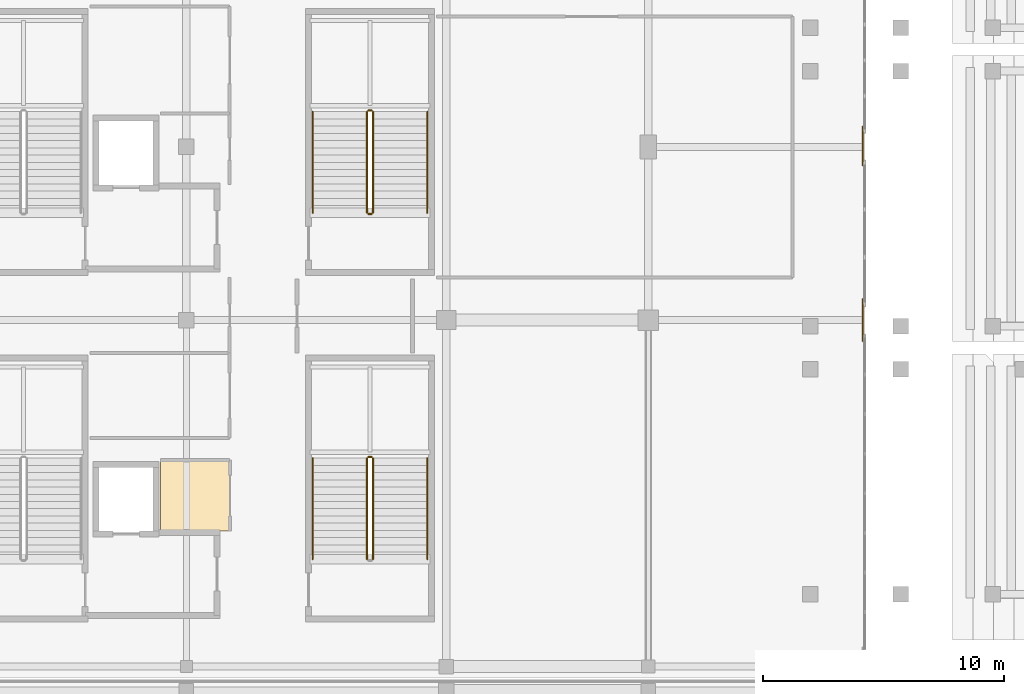
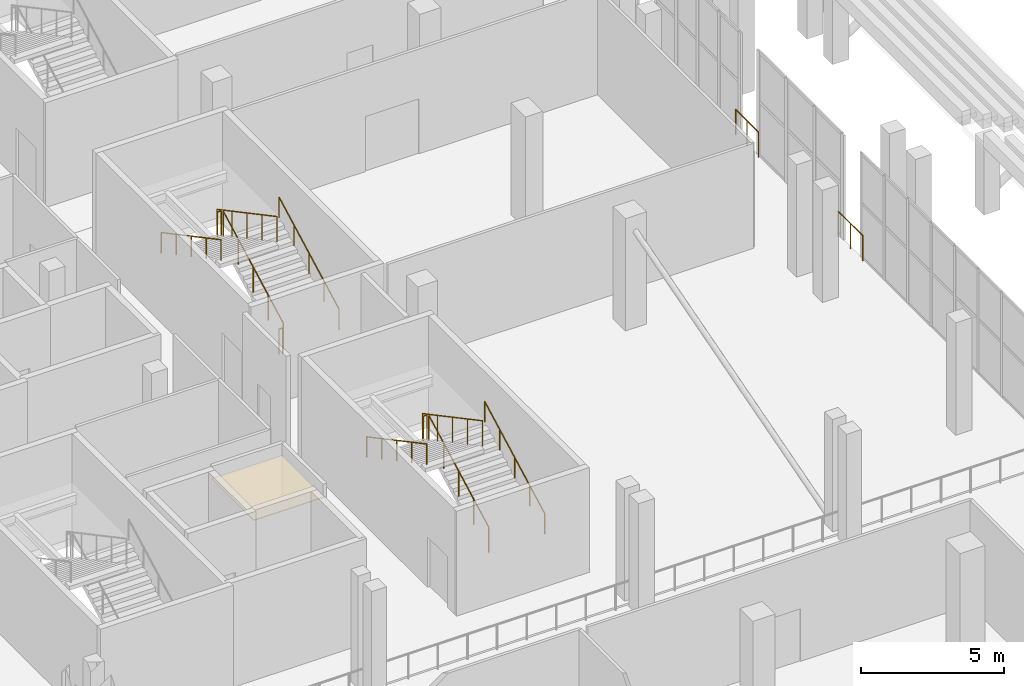
# One storey, part 115 of 142: 13 railings, 1 covering.
"""IFC4 building model written with IfcOpenShell, lengths in metres."""

import ifcopenshell
import ifcopenshell.guid

model = None  # the IFC model being written
_history = None  # IfcOwnerHistory: only IFC2X3 demands one
_inside = {}  # id of a spatial element -> (the spatial element, [elements in it])
_under = {}  # id of a project, library or spatial element -> (it, [spatial elements below it])
_declared = {}  # id of a project -> (the project, [libraries it declares])
_typed = {}  # id of a type object -> (the type object, [elements of that type])
_made_of = {}  # id of a material, layer set ... -> (it, [elements and type objects made of it])


def new_model(schema):
    """Start an empty IFC model of exactly this schema.

    Asked for "IFC4X3", IfcOpenShell would pick the latest addendum, in which some entities
    have other attributes; the version numbers below select the first issue.
    IFC2X3 requires an IfcOwnerHistory on every rooted entity: one is made here for all.
    """
    global model, _history
    if schema == "IFC4X3":
        model = ifcopenshell.file(schema_version=(4, 3, 0, 0))
    else:
        model = ifcopenshell.file(schema=schema)
    _inside.clear()
    _under.clear()
    _declared.clear()
    _typed.clear()
    _made_of.clear()
    _history = None
    if model.schema == "IFC2X3":
        org = make("IfcOrganization", Name="unknown")
        user = make(
            "IfcPersonAndOrganization",
            ThePerson=make("IfcPerson", FamilyName="unknown"),
            TheOrganization=org,
        )
        app = make(
            "IfcApplication",
            ApplicationDeveloper=org,
            Version="unknown",
            ApplicationFullName="unknown",
            ApplicationIdentifier="unknown",
        )
        _history = make(
            "IfcOwnerHistory",
            OwningUser=user,
            OwningApplication=app,
            ChangeAction="ADDED",
            CreationDate=0,
        )
    return model


def make(cls, **values):
    """One entity of the class cls with the attributes given. An attribute that is None is left unset."""
    return model.create_entity(
        cls, **{name: value for name, value in values.items() if value is not None}
    )


def rooted(cls, **values):
    """An entity with a GlobalId (a new one), such as an element, a storey or a relation."""
    return make(cls, GlobalId=ifcopenshell.guid.new(), OwnerHistory=_history, **values)


def si_unit(unit_type, name, prefix=None):
    """IfcSIUnit, for example si_unit("LENGTHUNIT", "METRE", prefix="MILLI")."""
    return make("IfcSIUnit", UnitType=unit_type, Prefix=prefix, Name=name)


def assignment(units):
    """IfcUnitAssignment: the units of a project."""
    return None if units is None else make("IfcUnitAssignment", Units=units)


def point(xyz):
    """IfcCartesianPoint."""
    return None if xyz is None else make("IfcCartesianPoint", Coordinates=xyz)


def direction(xyz):
    """IfcDirection."""
    return None if xyz is None else make("IfcDirection", DirectionRatios=xyz)


def frame(location, z_axis=None, x_axis=None):
    """IfcAxis2Placement3D, a coordinate frame: its origin and axes. An axis left out is left unset."""
    return make(
        "IfcAxis2Placement3D",
        Location=point(location),
        Axis=direction(z_axis),
        RefDirection=direction(x_axis),
    )


def frame_2d(location, x_axis=None):
    """IfcAxis2Placement2D, a coordinate frame in the plane: its origin and x axis."""
    return make(
        "IfcAxis2Placement2D", Location=point(location), RefDirection=direction(x_axis)
    )


def origin():
    """The frame at (0, 0, 0) with its axes left unset."""
    return frame((0.0, 0.0, 0.0))


def origin_2d():
    """The frame at (0, 0) in the plane with its x axis left unset."""
    return frame_2d((0.0, 0.0))


def place(relative_to, where):
    """IfcLocalPlacement: puts the frame where relative to a parent placement (None: the world)."""
    return make(
        "IfcLocalPlacement", PlacementRelTo=relative_to, RelativePlacement=where
    )


def context(
    kind, dimensions, precision=None, world=None, true_north=None, identifier=None
):
    """IfcGeometricRepresentationContext, for example the 3D "Model" context."""
    return make(
        "IfcGeometricRepresentationContext",
        ContextIdentifier=identifier,
        ContextType=kind,
        CoordinateSpaceDimension=dimensions,
        Precision=precision,
        WorldCoordinateSystem=world,
        TrueNorth=true_north,
    )


def subcontext(parent, identifier, kind, view, scale=None):
    """IfcGeometricRepresentationSubContext, for example "Body" below "Model"."""
    return make(
        "IfcGeometricRepresentationSubContext",
        ContextIdentifier=identifier,
        ContextType=kind,
        ParentContext=parent,
        TargetScale=scale,
        TargetView=view,
    )


def project(units=None, contexts=None):
    """IfcProject with its units and contexts."""
    return rooted(
        "IfcProject",
        Name="project",
        RepresentationContexts=contexts,
        UnitsInContext=assignment(units),
    )


def spatial(cls, under=None, at=None, **own):
    """A site, building, storey or space (cls), placed at a placement, below another one or the project."""
    s = rooted(cls, ObjectPlacement=at, **own)
    if under is not None:
        _under.setdefault(under.id(), (under, []))[1].append(s)
    return s


def polyline(points):
    """IfcPolyline through the points."""
    return make("IfcPolyline", Points=[point(p) for p in points])


def profile(cls, at=None, kind="AREA", **sizes):
    """A parametric profile (cls). Its sizes go by their IFC names, for example OverallWidth=200.0."""
    return make(cls, ProfileType=kind, Position=at, **sizes)


def circle(**sizes):
    """IfcCircleProfileDef."""
    return profile("IfcCircleProfileDef", **sizes)


def outline(outer, holes=None, kind="AREA"):
    """IfcArbitraryClosedProfileDef: a profile drawn as a closed curve; with holes, ...WithVoids."""
    if holes is None:
        return make("IfcArbitraryClosedProfileDef", ProfileType=kind, OuterCurve=outer)
    return make(
        "IfcArbitraryProfileDefWithVoids",
        ProfileType=kind,
        OuterCurve=outer,
        InnerCurves=holes,
    )


def extrude(swept, where, along, depth):
    """IfcExtrudedAreaSolid: the profile swept, set in the frame where, extruded along a direction by depth."""
    return make(
        "IfcExtrudedAreaSolid",
        SweptArea=swept,
        Position=where,
        ExtrudedDirection=direction(along),
        Depth=depth,
    )


def shape(context_of_items, identifier, shape_type, items):
    """IfcShapeRepresentation: the items that make up one representation, for example the "Body"."""
    return make(
        "IfcShapeRepresentation",
        ContextOfItems=context_of_items,
        RepresentationIdentifier=identifier,
        RepresentationType=shape_type,
        Items=items,
    )


def material(Name=None, Category=None):
    """IfcMaterial."""
    return make("IfcMaterial", Name=Name, Category=Category)


def layer(
    of_material, thickness, ventilated=None, Name=None, Category=None, Priority=None
):
    """IfcMaterialLayer: one layer of a wall or slab, of a material (None: an air gap)."""
    return make(
        "IfcMaterialLayer",
        Material=of_material,
        LayerThickness=thickness,
        IsVentilated=ventilated,
        Name=Name,
        Category=Category,
        Priority=Priority,
    )


def layer_set(layers, Name=None):
    """IfcMaterialLayerSet."""
    return make("IfcMaterialLayerSet", MaterialLayers=layers, LayerSetName=Name)


def made_of(thing, what):
    """Note that an element or type object is made of a material, layer set ...; save() writes the relation."""
    if what is not None:
        _made_of.setdefault(what.id(), (what, []))[1].append(thing)
    return thing


def type_object(cls, material=None, **own):
    """A type object (cls), such as IfcWallType, which elements share."""
    return made_of(rooted(cls, **own), material)


def element(
    cls,
    number,
    at=None,
    inside=None,
    cuts=None,
    type_object=None,
    material=None,
    context=None,
    identifier="Body",
    shape_type=None,
    held_by="IfcProductDefinitionShape",
    body=None,
    shapes=None,
    **own,
):
    """One element of the class cls, such as IfcWall. Its Tag is "e" and its number.

    at: its placement. inside: the storey or other place that contains it. cuts: it is an
    opening in that element (IfcRelVoidsElement). A single representation is given by context,
    identifier, shape_type and body (its items); several are given by shapes. held_by: the class
    of the entity that holds the representations. save() writes the other relations.
    """
    e = rooted(cls, Tag="e%d" % number, ObjectPlacement=at, **own)
    if body is not None:
        shapes = [shape(context, identifier, shape_type, body)]
    if shapes is not None:
        e.Representation = make(held_by, Representations=shapes)
    if inside is not None:
        _inside.setdefault(inside.id(), (inside, []))[1].append(e)
    if cuts is not None:
        rooted(
            "IfcRelVoidsElement", RelatingBuildingElement=cuts, RelatedOpeningElement=e
        )
    if type_object is not None:
        _typed.setdefault(type_object.id(), (type_object, []))[1].append(e)
    return made_of(e, material)


def aggregate(whole, parts):
    """IfcRelAggregates: a whole, such as a stair, and the parts it consists of."""
    return rooted("IfcRelAggregates", RelatingObject=whole, RelatedObjects=parts)


def save(model, path):
    """Write the relations noted so far, then the file.

    IfcRelAggregates (storeys below a building ...), IfcRelContainedInSpatialStructure (elements
    in a storey), IfcRelDefinesByType, IfcRelAssociatesMaterial and IfcRelDeclares: one each for
    every whole, place, type object, material and project.
    """
    for whole, parts in _under.values():
        aggregate(whole, parts)
    for where, things in _inside.values():
        rooted(
            "IfcRelContainedInSpatialStructure",
            RelatedElements=things,
            RelatingStructure=where,
        )
    for kind, things in _typed.values():
        rooted("IfcRelDefinesByType", RelatedObjects=things, RelatingType=kind)
    for what, things in _made_of.values():
        rooted("IfcRelAssociatesMaterial", RelatedObjects=things, RelatingMaterial=what)
    for by, libraries in _declared.values():
        rooted("IfcRelDeclares", RelatingContext=by, RelatedDefinitions=libraries)
    model.write(path)


model = new_model("IFC4")

# Units and contexts
model_context = context("Model", 3, precision=1e-05, world=origin(), true_north=direction((0.0, 1.0)))
body_context = subcontext(model_context, "Body", "Model", "MODEL_VIEW")
ifc_project = project(units=[si_unit("LENGTHUNIT", "METRE"), si_unit("AREAUNIT", "SQUARE_METRE"), si_unit("VOLUMEUNIT", "CUBIC_METRE"), si_unit("PLANEANGLEUNIT", "RADIAN"), si_unit("MASSUNIT", "GRAM", prefix="KILO")], contexts=[model_context])

# Site, building, storey
site_placement = place(None, origin())
site = spatial("IfcSite", under=ifc_project, at=site_placement, CompositionType="ELEMENT")
building_placement = place(site_placement, origin())
building = spatial("IfcBuilding", under=site, at=building_placement, Name="Koshinbarg Plaza Stadium", CompositionType="ELEMENT")
storey_placement = place(building_placement, frame((0.0, 0.0, 10.199951171875)))
storey = spatial("IfcBuildingStorey", under=building, at=storey_placement, Name="L02", CompositionType="ELEMENT", Elevation=10.199951171875)

# Covering
ifc_material_1 = material(Name="Perforated gypsum acoustic ceiling board")
ifc_layer = layer(ifc_material_1, 0.030029296875)
ifc_layer_set = layer_set([ifc_layer], Name="Perforated gypsum acoustic ceiling board")
covering_type = type_object("IfcCoveringType", Name="COV-CEIL-01", PredefinedType="CEILING", material=ifc_layer_set)
covering_placement = place(storey_placement, frame((0.0, 0.0, 3.89013671875)))
element("IfcCovering", 1, at=covering_placement, inside=storey, type_object=covering_type, Name="L02 VIP Hospitality Suite acoustic ceiling 021", PredefinedType="CEILING", context=body_context, shape_type="SweptSolid", body=[
    extrude(outline(polyline([(34.330078125, 31.1298828125), (37.199951171875, 31.1298828125), (37.199951171875, 34.080078125), (34.330078125, 34.080078125), (34.330078125, 31.1298828125)])), origin(), (0.0, 0.0, 1.0), 0.030029296875),
])

# Railings
ifc_material_2 = material(Name="Toughened laminated glass and stainless steel sightline balustrade", Category="steel")
railing_type_1 = type_object("IfcRailingType", Name="RL-BOWL-1100", PredefinedType="BALUSTRADE", material=ifc_material_2)
railing_1_placement = place(storey_placement, frame((63.52001953125, 47.9326171875, 0.0)))
element("IfcRailing", 2, at=railing_1_placement, inside=storey, type_object=railing_type_1, Name="L02 deck edge safety balustrade 0114", PredefinedType="BALUSTRADE", context=body_context, shape_type="SweptSolid", body=[
    extrude(circle(Radius=0.02392578125, at=origin_2d()), frame((0.0, 0.0, 1.076171875), z_axis=(0.0, -1.0, 0.0), x_axis=(1.0, 0.0, 0.0)), (0.0, 0.0, 1.0), 1.59423828125),
    extrude(circle(Radius=0.02099609375, at=origin_2d()), origin(), (0.0, 0.0, 1.0), 1.052001953125),
    extrude(circle(Radius=0.02099609375, at=origin_2d()), frame((0.0, -0.797119140625, 0.0)), (0.0, 0.0, 1.0), 1.052001953125),
    extrude(circle(Radius=0.02099609375, at=origin_2d()), frame((0.0, -1.59423828125, 0.0)), (0.0, 0.0, 1.0), 1.052001953125),
])
railing_2_placement = place(storey_placement, frame((63.52001953125, 40.76806640625, 0.0)))
element("IfcRailing", 3, at=railing_2_placement, inside=storey, type_object=railing_type_1, Name="L02 deck edge safety balustrade 0115", PredefinedType="BALUSTRADE", context=body_context, shape_type="SweptSolid", body=[
    extrude(circle(Radius=0.02392578125, at=origin_2d()), frame((0.0, 0.0, 1.076171875), z_axis=(0.0, -1.0, 0.0), x_axis=(1.0, 0.0, 0.0)), (0.0, 0.0, 1.0), 1.743408203125),
    extrude(circle(Radius=0.02099609375, at=origin_2d()), origin(), (0.0, 0.0, 1.0), 1.052001953125),
    extrude(circle(Radius=0.02099609375, at=origin_2d()), frame((0.0, -0.87158203125, 0.0)), (0.0, 0.0, 1.0), 1.052001953125),
    extrude(circle(Radius=0.02099609375, at=origin_2d()), frame((0.0, -1.743408203125, 0.0)), (0.0, 0.0, 1.0), 1.052001953125),
])
ifc_material_3 = material(Name="Galvanized painted steel guardrail", Category="steel")
railing_type_2 = type_object("IfcRailingType", Name="RL-GUARD-1100", PredefinedType="GUARDRAIL", material=ifc_material_3)
railing_3_placement = place(storey_placement, frame((43.159912109375, 29.9599609375, 0.16015625)))
element("IfcRailing", 4, at=railing_3_placement, inside=storey, type_object=railing_type_2, Name="L02 VX01 stair guard 1", PredefinedType="GUARDRAIL", context=body_context, shape_type="SweptSolid", body=[
    extrude(circle(Radius=0.02392578125, at=origin_2d()), frame((0.0, 0.0, 1.076171875), z_axis=(0.0, 0.882351521365, 0.470590897432), x_axis=(-1.0, 0.0, 0.0)), (0.0, 0.0, 1.0), 4.760009765625),
    extrude(circle(Radius=0.02099609375, at=origin_2d()), origin(), (0.0, 0.0, 1.0), 1.052001953125),
    extrude(circle(Radius=0.02099609375, at=origin_2d()), frame((0.0, 1.050048828125, 0.56005859375)), (0.0, 0.0, 1.0), 1.052001953125),
    extrude(circle(Radius=0.02099609375, at=origin_2d()), frame((0.0, 2.10009765625, 1.1201171875)), (0.0, 0.0, 1.0), 1.052001953125),
    extrude(circle(Radius=0.02099609375, at=origin_2d()), frame((0.0, 3.14990234375, 1.679931640625)), (0.0, 0.0, 1.0), 1.052001953125),
    extrude(circle(Radius=0.02099609375, at=origin_2d()), frame((0.0, 4.199951171875, 2.239990234375)), (0.0, 0.0, 1.0), 1.052001953125),
])
railing_4_placement = place(storey_placement, frame((43.110107421875, 34.2099609375, 2.400146484375)))
element("IfcRailing", 5, at=railing_4_placement, inside=storey, type_object=railing_type_2, Name="L02 VX01 stair guard 2", PredefinedType="GUARDRAIL", context=body_context, shape_type="SweptSolid", body=[
    extrude(circle(Radius=0.02392578125, at=origin_2d()), frame((0.0, 0.0, 1.076171875), z_axis=(-1.0, 0.0, 0.0), x_axis=(0.0, -1.0, 0.0)), (0.0, 0.0, 1.0), 0.150146484375),
    extrude(circle(Radius=0.02099609375, at=origin_2d()), origin(), (0.0, 0.0, 1.0), 1.052001953125),
    extrude(circle(Radius=0.02099609375, at=origin_2d()), frame((-0.150146484375, 0.0, 0.0)), (0.0, 0.0, 1.0), 1.052001953125),
])
railing_5_placement = place(storey_placement, frame((42.909912109375, 34.159912109375, 2.56005859375)))
element("IfcRailing", 6, at=railing_5_placement, inside=storey, type_object=railing_type_2, Name="L02 VX01 stair guard 3", PredefinedType="GUARDRAIL", context=body_context, shape_type="SweptSolid", body=[
    extrude(circle(Radius=0.02392578125, at=origin_2d()), frame((0.0, 0.0, 1.076171875), z_axis=(0.0, -0.882351521365, 0.470590897432), x_axis=(1.0, 0.0, 0.0)), (0.0, 0.0, 1.0), 4.760009765625),
    extrude(circle(Radius=0.02099609375, at=origin_2d()), origin(), (0.0, 0.0, 1.0), 1.052001953125),
    extrude(circle(Radius=0.02099609375, at=origin_2d()), frame((0.0, -1.050048828125, 0.56005859375)), (0.0, 0.0, 1.0), 1.052001953125),
    extrude(circle(Radius=0.02099609375, at=origin_2d()), frame((0.0, -2.10009765625, 1.1201171875)), (0.0, 0.0, 1.0), 1.052001953125),
    extrude(circle(Radius=0.02099609375, at=origin_2d()), frame((0.0, -3.14990234375, 1.679931640625)), (0.0, 0.0, 1.0), 1.052001953125),
    extrude(circle(Radius=0.02099609375, at=origin_2d()), frame((0.0, -4.199951171875, 2.239990234375)), (0.0, 0.0, 1.0), 1.052001953125),
])
railing_6_placement = place(storey_placement, frame((43.159912109375, 44.360107421875, 0.16015625)))
element("IfcRailing", 7, at=railing_6_placement, inside=storey, type_object=railing_type_2, Name="L02 VX02 stair guard 1", PredefinedType="GUARDRAIL", context=body_context, shape_type="SweptSolid", body=[
    extrude(circle(Radius=0.02392578125, at=origin_2d()), frame((0.0, 0.0, 1.076171875), z_axis=(0.0, 0.882351521365, 0.470590897432), x_axis=(-1.0, 0.0, 0.0)), (0.0, 0.0, 1.0), 4.760009765625),
    extrude(circle(Radius=0.02099609375, at=origin_2d()), origin(), (0.0, 0.0, 1.0), 1.052001953125),
    extrude(circle(Radius=0.02099609375, at=origin_2d()), frame((0.0, 1.050048828125, 0.56005859375)), (0.0, 0.0, 1.0), 1.052001953125),
    extrude(circle(Radius=0.02099609375, at=origin_2d()), frame((0.0, 2.10009765625, 1.1201171875)), (0.0, 0.0, 1.0), 1.052001953125),
    extrude(circle(Radius=0.02099609375, at=origin_2d()), frame((0.0, 3.14990234375, 1.679931640625)), (0.0, 0.0, 1.0), 1.052001953125),
    extrude(circle(Radius=0.02099609375, at=origin_2d()), frame((0.0, 4.199951171875, 2.239990234375)), (0.0, 0.0, 1.0), 1.052001953125),
])
railing_7_placement = place(storey_placement, frame((43.110107421875, 48.610107421875, 2.400146484375)))
element("IfcRailing", 8, at=railing_7_placement, inside=storey, type_object=railing_type_2, Name="L02 VX02 stair guard 2", PredefinedType="GUARDRAIL", context=body_context, shape_type="SweptSolid", body=[
    extrude(circle(Radius=0.02392578125, at=origin_2d()), frame((0.0, 0.0, 1.076171875), z_axis=(-1.0, 0.0, 0.0), x_axis=(0.0, -1.0, 0.0)), (0.0, 0.0, 1.0), 0.150146484375),
    extrude(circle(Radius=0.02099609375, at=origin_2d()), origin(), (0.0, 0.0, 1.0), 1.052001953125),
    extrude(circle(Radius=0.02099609375, at=origin_2d()), frame((-0.150146484375, 0.0, 0.0)), (0.0, 0.0, 1.0), 1.052001953125),
])
railing_8_placement = place(storey_placement, frame((42.909912109375, 48.56005859375, 2.56005859375)))
element("IfcRailing", 9, at=railing_8_placement, inside=storey, type_object=railing_type_2, Name="L02 VX02 stair guard 3", PredefinedType="GUARDRAIL", context=body_context, shape_type="SweptSolid", body=[
    extrude(circle(Radius=0.02392578125, at=origin_2d()), frame((0.0, 0.0, 1.076171875), z_axis=(0.0, -0.882351521365, 0.470590897432), x_axis=(1.0, 0.0, 0.0)), (0.0, 0.0, 1.0), 4.760009765625),
    extrude(circle(Radius=0.02099609375, at=origin_2d()), origin(), (0.0, 0.0, 1.0), 1.052001953125),
    extrude(circle(Radius=0.02099609375, at=origin_2d()), frame((0.0, -1.050048828125, 0.56005859375)), (0.0, 0.0, 1.0), 1.052001953125),
    extrude(circle(Radius=0.02099609375, at=origin_2d()), frame((0.0, -2.10009765625, 1.1201171875)), (0.0, 0.0, 1.0), 1.052001953125),
    extrude(circle(Radius=0.02099609375, at=origin_2d()), frame((0.0, -3.14990234375, 1.679931640625)), (0.0, 0.0, 1.0), 1.052001953125),
    extrude(circle(Radius=0.02099609375, at=origin_2d()), frame((0.0, -4.199951171875, 2.239990234375)), (0.0, 0.0, 1.0), 1.052001953125),
])
railing_9_placement = place(storey_placement, frame((43.110107421875, 44.31005859375, 0.0)))
element("IfcRailing", 10, at=railing_9_placement, inside=storey, type_object=railing_type_2, Name="L02 VX02 stair guard 4", PredefinedType="GUARDRAIL", context=body_context, shape_type="SweptSolid", body=[
    extrude(circle(Radius=0.02392578125, at=origin_2d()), frame((0.0, 0.0, 1.076171875), z_axis=(-1.0, 0.0, 0.0), x_axis=(0.0, -1.0, 0.0)), (0.0, 0.0, 1.0), 0.150146484375),
    extrude(circle(Radius=0.02099609375, at=origin_2d()), origin(), (0.0, 0.0, 1.0), 1.052001953125),
    extrude(circle(Radius=0.02099609375, at=origin_2d()), frame((-0.150146484375, 0.0, 0.0)), (0.0, 0.0, 1.0), 1.052001953125),
])
ifc_material_4 = material(Name="Brushed stainless steel handrail", Category="steel")
railing_type_3 = type_object("IfcRailingType", Name="RL-HAND-900", PredefinedType="HANDRAIL", material=ifc_material_4)
railing_10_placement = place(storey_placement, frame((45.419921875, 29.9599609375, 0.16015625)))
element("IfcRailing", 11, at=railing_10_placement, inside=storey, type_object=railing_type_3, Name="L02 VX01 stair handrail 1", PredefinedType="HANDRAIL", context=body_context, shape_type="SweptSolid", body=[
    extrude(circle(Radius=0.02392578125, at=origin_2d()), frame((0.0, 0.0, 0.8759765625), z_axis=(0.0, 0.882351521365, 0.470590897432), x_axis=(-1.0, 0.0, 0.0)), (0.0, 0.0, 1.0), 4.760009765625),
    extrude(circle(Radius=0.02099609375, at=origin_2d()), origin(), (0.0, 0.0, 1.0), 0.851806640625),
    extrude(circle(Radius=0.02099609375, at=origin_2d()), frame((0.0, 1.050048828125, 0.56005859375)), (0.0, 0.0, 1.0), 0.851806640625),
    extrude(circle(Radius=0.02099609375, at=origin_2d()), frame((0.0, 2.10009765625, 1.1201171875)), (0.0, 0.0, 1.0), 0.851806640625),
    extrude(circle(Radius=0.02099609375, at=origin_2d()), frame((0.0, 3.14990234375, 1.679931640625)), (0.0, 0.0, 1.0), 0.851806640625),
    extrude(circle(Radius=0.02099609375, at=origin_2d()), frame((0.0, 4.199951171875, 2.239990234375)), (0.0, 0.0, 1.0), 0.851806640625),
])
railing_11_placement = place(storey_placement, frame((40.64990234375, 34.159912109375, 2.56005859375)))
element("IfcRailing", 12, at=railing_11_placement, inside=storey, type_object=railing_type_3, Name="L02 VX01 stair handrail 2", PredefinedType="HANDRAIL", context=body_context, shape_type="SweptSolid", body=[
    extrude(circle(Radius=0.02392578125, at=origin_2d()), frame((0.0, 0.0, 0.8759765625), z_axis=(0.0, -0.882351521365, 0.470590897432), x_axis=(1.0, 0.0, 0.0)), (0.0, 0.0, 1.0), 4.760009765625),
    extrude(circle(Radius=0.02099609375, at=origin_2d()), origin(), (0.0, 0.0, 1.0), 0.851806640625),
    extrude(circle(Radius=0.02099609375, at=origin_2d()), frame((0.0, -1.050048828125, 0.56005859375)), (0.0, 0.0, 1.0), 0.851806640625),
    extrude(circle(Radius=0.02099609375, at=origin_2d()), frame((0.0, -2.10009765625, 1.1201171875)), (0.0, 0.0, 1.0), 0.851806640625),
    extrude(circle(Radius=0.02099609375, at=origin_2d()), frame((0.0, -3.14990234375, 1.679931640625)), (0.0, 0.0, 1.0), 0.851806640625),
    extrude(circle(Radius=0.02099609375, at=origin_2d()), frame((0.0, -4.199951171875, 2.239990234375)), (0.0, 0.0, 1.0), 0.851806640625),
])
railing_12_placement = place(storey_placement, frame((45.419921875, 44.360107421875, 0.16015625)))
element("IfcRailing", 13, at=railing_12_placement, inside=storey, type_object=railing_type_3, Name="L02 VX02 stair handrail 1", PredefinedType="HANDRAIL", context=body_context, shape_type="SweptSolid", body=[
    extrude(circle(Radius=0.02392578125, at=origin_2d()), frame((0.0, 0.0, 0.8759765625), z_axis=(0.0, 0.882351521365, 0.470590897432), x_axis=(-1.0, 0.0, 0.0)), (0.0, 0.0, 1.0), 4.760009765625),
    extrude(circle(Radius=0.02099609375, at=origin_2d()), origin(), (0.0, 0.0, 1.0), 0.851806640625),
    extrude(circle(Radius=0.02099609375, at=origin_2d()), frame((0.0, 1.050048828125, 0.56005859375)), (0.0, 0.0, 1.0), 0.851806640625),
    extrude(circle(Radius=0.02099609375, at=origin_2d()), frame((0.0, 2.10009765625, 1.1201171875)), (0.0, 0.0, 1.0), 0.851806640625),
    extrude(circle(Radius=0.02099609375, at=origin_2d()), frame((0.0, 3.14990234375, 1.679931640625)), (0.0, 0.0, 1.0), 0.851806640625),
    extrude(circle(Radius=0.02099609375, at=origin_2d()), frame((0.0, 4.199951171875, 2.239990234375)), (0.0, 0.0, 1.0), 0.851806640625),
])
railing_13_placement = place(storey_placement, frame((40.64990234375, 48.56005859375, 2.56005859375)))
element("IfcRailing", 14, at=railing_13_placement, inside=storey, type_object=railing_type_3, Name="L02 VX02 stair handrail 2", PredefinedType="HANDRAIL", context=body_context, shape_type="SweptSolid", body=[
    extrude(circle(Radius=0.02392578125, at=origin_2d()), frame((0.0, 0.0, 0.8759765625), z_axis=(0.0, -0.882351521365, 0.470590897432), x_axis=(1.0, 0.0, 0.0)), (0.0, 0.0, 1.0), 4.760009765625),
    extrude(circle(Radius=0.02099609375, at=origin_2d()), origin(), (0.0, 0.0, 1.0), 0.851806640625),
    extrude(circle(Radius=0.02099609375, at=origin_2d()), frame((0.0, -1.050048828125, 0.56005859375)), (0.0, 0.0, 1.0), 0.851806640625),
    extrude(circle(Radius=0.02099609375, at=origin_2d()), frame((0.0, -2.10009765625, 1.1201171875)), (0.0, 0.0, 1.0), 0.851806640625),
    extrude(circle(Radius=0.02099609375, at=origin_2d()), frame((0.0, -3.14990234375, 1.679931640625)), (0.0, 0.0, 1.0), 0.851806640625),
    extrude(circle(Radius=0.02099609375, at=origin_2d()), frame((0.0, -4.199951171875, 2.239990234375)), (0.0, 0.0, 1.0), 0.851806640625),
])

save(model, "model.ifc")
